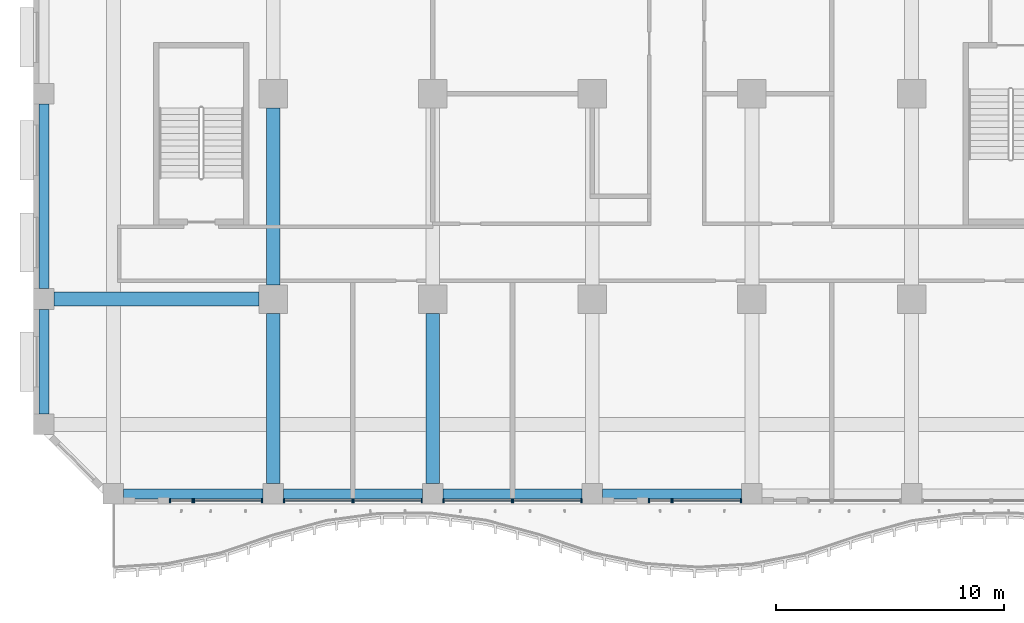
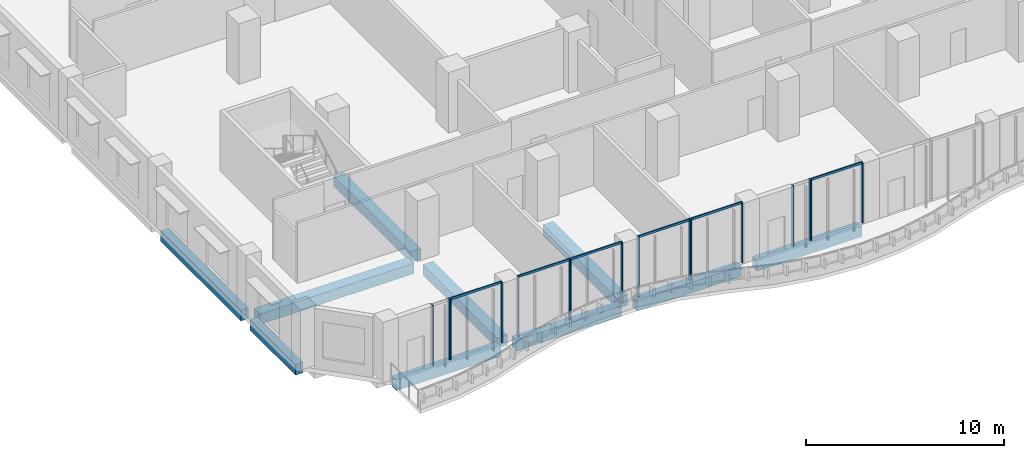
# One storey, part 2 of 26: 22 members, 10 beams, 8 elements without a shape of their own.
"""IFC4 building model written with IfcOpenShell, lengths in metres."""

from ifc_helpers import new_model, si_unit, direction, frame, origin, origin_2d, place, context, subcontext, project, spatial, rectangle, extrude, source, transform, mapped, material, material_profile, profile_set, type_object, element, aggregate, save


model = new_model("IFC4")

# Units and contexts
model_context = context("Model", 3, precision=1e-05, world=origin(), true_north=direction((0.0, 1.0)))
body_context = subcontext(model_context, "Body", "Model", "MODEL_VIEW")
ifc_project = project(units=[si_unit("LENGTHUNIT", "METRE"), si_unit("AREAUNIT", "SQUARE_METRE"), si_unit("VOLUMEUNIT", "CUBIC_METRE"), si_unit("PLANEANGLEUNIT", "RADIAN"), si_unit("MASSUNIT", "GRAM", prefix="KILO")], contexts=[model_context])

# Site, building, storey
site_placement = place(None, origin())
site = spatial("IfcSite", under=ifc_project, at=site_placement, CompositionType="ELEMENT")
building_placement = place(site_placement, origin())
building = spatial("IfcBuilding", under=site, at=building_placement, Name="Kilnfold Tower and Market Hall", CompositionType="ELEMENT")
storey_placement = place(building_placement, frame((0.0, 0.0, 83.199951171875)))
storey = spatial("IfcBuildingStorey", under=building, at=storey_placement, Name="L19", CompositionType="ELEMENT", Elevation=83.199951171875)

# Beams
ifc_material_1 = material(Name="Concrete C45", Category="concrete")
ifc_material_profile_1 = material_profile(ifc_material_1, rectangle(XDim=0.449951171875, YDim=0.64990234375, at=origin_2d()), Name="RC 450x650")
ifc_profile_set_1 = profile_set([ifc_material_profile_1], Name="Concrete C45")
beam_type_1 = type_object("IfcBeamType", Name="EDGE BEAM 450X650 C45", PredefinedType="BEAM", material=ifc_profile_set_1)
shared_shape_1 = source(origin(), body_context, "Body", "SweptSolid", [
    extrude(rectangle(XDim=0.449951171875, YDim=0.64990234375, at=origin_2d()), origin(), (0.0, 0.0, 1.0), 6.10009765625),
])
for number, where, z_axis, x_axis, name in (
    (1, (-19.050048828125, -27.550048828125, -0.60498046875), (1.0, 0.0, 0.0), (0.0, 1.0, 0.0), "Beam EB650-B2.60"),
    (2, (-12.050048828125, -27.550048828125, -0.60498046875), (1.0, 0.0, 0.0), (0.0, 1.0, 0.0), "Beam EB650-B2.61"),
    (3, (-5.050048828125, -27.550048828125, -0.60498046875), (1.0, 0.0, 0.0), (0.0, 1.0, 0.0), "Beam EB650-B2.62"),
    (4, (1.949951171875, -27.550048828125, -0.60498046875), (1.0, 0.0, 0.0), (0.0, 1.0, 0.0), "Beam EB650-B2.63"),
):
    element("IfcBeam", number, at=place(storey_placement, frame(where, z_axis=z_axis, x_axis=x_axis)), inside=storey, type_object=beam_type_1, Name=name, PredefinedType="BEAM", context=body_context, shape_type="MappedRepresentation", body=[
        mapped(shared_shape_1, transform((0.0, 0.0, 0.0))),
    ])
shared_shape_2 = source(origin(), body_context, "Body", "SweptSolid", [
    extrude(rectangle(XDim=0.449951171875, YDim=0.64990234375, at=origin_2d()), origin(), (0.0, 0.0, 1.0), 4.60009765625),
])
beam_1_placement = place(storey_placement, frame((-22.550048828125, -24.050048828125, -0.60498046875), z_axis=(0.0, 1.0, 0.0), x_axis=(-1.0, 0.0, 0.0)))
element("IfcBeam", 5, at=beam_1_placement, inside=storey, type_object=beam_type_1, Name="Beam EB650-B2.37", PredefinedType="BEAM", context=body_context, shape_type="MappedRepresentation", body=[
    mapped(shared_shape_2, transform((0.0, 0.0, 0.0))),
])
shared_shape_3 = source(origin(), body_context, "Body", "SweptSolid", [
    extrude(rectangle(XDim=0.449951171875, YDim=0.64990234375, at=origin_2d()), origin(), (0.0, 0.0, 1.0), 8.10009765625),
])
beam_2_placement = place(storey_placement, frame((-22.550048828125, -18.550048828125, -0.60498046875), z_axis=(0.0, 1.0, 0.0), x_axis=(-1.0, 0.0, 0.0)))
element("IfcBeam", 6, at=beam_2_placement, inside=storey, type_object=beam_type_1, Name="Beam EB650-B2.38", PredefinedType="BEAM", context=body_context, shape_type="MappedRepresentation", body=[
    mapped(shared_shape_3, transform((0.0, 0.0, 0.0))),
])
ifc_material_2 = material(Name="Concrete C45", Category="concrete")
ifc_material_profile_2 = material_profile(ifc_material_2, rectangle(XDim=0.60009765625, YDim=0.64990234375, at=origin_2d()), Name="RC 600x650")
ifc_profile_set_2 = profile_set([ifc_material_profile_2], Name="Concrete C45")
beam_type_2 = type_object("IfcBeamType", Name="BEAM 600X650 C45", PredefinedType="BEAM", material=ifc_profile_set_2)
shared_shape_4 = source(origin(), body_context, "Body", "SweptSolid", [
    extrude(rectangle(XDim=0.60009765625, YDim=0.64990234375, at=origin_2d()), origin(), (0.0, 0.0, 1.0), 8.97509765625),
])
beam_3_placement = place(storey_placement, frame((-22.10009765625, -19.0, -0.60498046875), z_axis=(1.0, 0.0, 0.0), x_axis=(0.0, 1.0, 0.0)))
element("IfcBeam", 7, at=beam_3_placement, inside=storey, type_object=beam_type_2, Name="Beam BB650-B2.68", PredefinedType="BEAM", context=body_context, shape_type="MappedRepresentation", body=[
    mapped(shared_shape_4, transform((0.0, 0.0, 0.0))),
])
shared_shape_5 = source(origin(), body_context, "Body", "SweptSolid", [
    extrude(rectangle(XDim=0.60009765625, YDim=0.64990234375, at=origin_2d()), origin(), (0.0, 0.0, 1.0), 7.47509765625),
])
for number, where, z_axis, x_axis, name in (
    (8, (-12.5, -27.10009765625, -0.60498046875), (0.0, 1.0, 0.0), (-1.0, 0.0, 0.0), "Beam BB650-B2.82"),
    (9, (-5.5, -27.10009765625, -0.60498046875), (0.0, 1.0, 0.0), (-1.0, 0.0, 0.0), "Beam BB650-B2.85"),
):
    element("IfcBeam", number, at=place(storey_placement, frame(where, z_axis=z_axis, x_axis=x_axis)), inside=storey, type_object=beam_type_2, Name=name, PredefinedType="BEAM", context=body_context, shape_type="MappedRepresentation", body=[
        mapped(shared_shape_5, transform((0.0, 0.0, 0.0))),
    ])
shared_shape_6 = source(origin(), body_context, "Body", "SweptSolid", [
    extrude(rectangle(XDim=0.60009765625, YDim=0.64990234375, at=origin_2d()), origin(), (0.0, 0.0, 1.0), 7.75),
])
beam_4_placement = place(storey_placement, frame((-12.5, -18.375, -0.60498046875), z_axis=(0.0, 1.0, 0.0), x_axis=(-1.0, 0.0, 0.0)))
element("IfcBeam", 10, at=beam_4_placement, inside=storey, type_object=beam_type_2, Name="Beam BB650-B2.83", PredefinedType="BEAM", context=body_context, shape_type="MappedRepresentation", body=[
    mapped(shared_shape_6, transform((0.0, 0.0, 0.0))),
])

# Curtain wall, members
ifc_material_3 = material(Name="Aluminium and double glazing", Category="aluminium")
curtain_wall_type = type_object("IfcCurtainWallType", Name="CW OF1 VALLEY GLAZING", PredefinedType="NOTDEFINED", material=ifc_material_3)
curtain_wall_1_placement = place(storey_placement, origin())
curtain_wall_1 = element("IfcCurtainWall", 11, at=curtain_wall_1_placement, inside=storey, type_object=curtain_wall_type, Name="Curtain wall CW1 L19 S", PredefinedType="NOTDEFINED")
ifc_material_4 = material(Name="Aluminium", Category="aluminium")
ifc_material_profile_3 = material_profile(ifc_material_4, rectangle(XDim=0.06005859375, YDim=0.179931640625, at=origin_2d()), Name="MULLION 60x180")
ifc_profile_set_3 = profile_set([ifc_material_profile_3], Name="Aluminium")
member_type_1 = type_object("IfcMemberType", Name="MULLION 60X180", PredefinedType="MULLION", material=ifc_profile_set_3)
shared_shape_7 = source(origin(), body_context, "Body", "SweptSolid", [
    extrude(rectangle(XDim=0.06005859375, YDim=0.179931640625, at=origin_2d()), origin(), (0.0, 0.0, 1.0), 3.719970703125),
])
member_1_placement = place(storey_placement, frame((-17.02001953125, -27.85009765625, 0.0), z_axis=(0.0, 0.0, 1.0), x_axis=(1.0, 0.0, 0.0)))
member_1 = element("IfcMember", 12, at=member_1_placement, type_object=member_type_1, Name="CW1 mullion 1", PredefinedType="MULLION", context=body_context, shape_type="MappedRepresentation", body=[
    mapped(shared_shape_7, transform((0.0, 0.0, 0.0))),
])
member_2_placement = place(storey_placement, frame((-16.030029296875, -27.85009765625, 0.0), z_axis=(0.0, 0.0, 1.0), x_axis=(1.0, 0.0, 0.0)))
member_2 = element("IfcMember", 13, at=member_2_placement, type_object=member_type_1, Name="CW1 mullion 2", PredefinedType="MULLION", context=body_context, shape_type="MappedRepresentation", body=[
    mapped(shared_shape_7, transform((0.0, 0.0, 0.0))),
])
aggregate(curtain_wall_1, [member_1, member_2])

curtain_wall_2_placement = place(storey_placement, origin())
curtain_wall_2 = element("IfcCurtainWall", 14, at=curtain_wall_2_placement, inside=storey, type_object=curtain_wall_type, Name="Curtain wall CW1 L19 S", PredefinedType="NOTDEFINED")
member_3_placement = place(storey_placement, frame((-15.969970703125, -27.85009765625, 0.0), z_axis=(0.0, 0.0, 1.0), x_axis=(1.0, 0.0, 0.0)))
member_3 = element("IfcMember", 15, at=member_3_placement, type_object=member_type_1, Name="CW1 mullion 1", PredefinedType="MULLION", context=body_context, shape_type="MappedRepresentation", body=[
    mapped(shared_shape_7, transform((0.0, 0.0, 0.0))),
])
member_4_placement = place(storey_placement, frame((-12.97998046875, -27.85009765625, 0.0), z_axis=(0.0, 0.0, 1.0), x_axis=(1.0, 0.0, 0.0)))
member_4 = element("IfcMember", 16, at=member_4_placement, type_object=member_type_1, Name="CW1 mullion 2", PredefinedType="MULLION", context=body_context, shape_type="MappedRepresentation", body=[
    mapped(shared_shape_7, transform((0.0, 0.0, 0.0))),
])

curtain_wall_3_placement = place(storey_placement, origin())
curtain_wall_3 = element("IfcCurtainWall", 17, at=curtain_wall_3_placement, inside=storey, type_object=curtain_wall_type, Name="Curtain wall CW1 L19 S", PredefinedType="NOTDEFINED")
member_5_placement = place(storey_placement, frame((-12.02001953125, -27.85009765625, 0.0), z_axis=(0.0, 0.0, 1.0), x_axis=(1.0, 0.0, 0.0)))
member_5 = element("IfcMember", 18, at=member_5_placement, type_object=member_type_1, Name="CW1 mullion 1", PredefinedType="MULLION", context=body_context, shape_type="MappedRepresentation", body=[
    mapped(shared_shape_7, transform((0.0, 0.0, 0.0))),
])
member_6_placement = place(storey_placement, frame((-9.030029296875, -27.85009765625, 0.0), z_axis=(0.0, 0.0, 1.0), x_axis=(1.0, 0.0, 0.0)))
member_6 = element("IfcMember", 19, at=member_6_placement, type_object=member_type_1, Name="CW1 mullion 2", PredefinedType="MULLION", context=body_context, shape_type="MappedRepresentation", body=[
    mapped(shared_shape_7, transform((0.0, 0.0, 0.0))),
])

curtain_wall_4_placement = place(storey_placement, origin())
curtain_wall_4 = element("IfcCurtainWall", 20, at=curtain_wall_4_placement, inside=storey, type_object=curtain_wall_type, Name="Curtain wall CW1 L19 S", PredefinedType="NOTDEFINED")
member_7_placement = place(storey_placement, frame((-8.969970703125, -27.85009765625, 0.0), z_axis=(0.0, 0.0, 1.0), x_axis=(1.0, 0.0, 0.0)))
member_7 = element("IfcMember", 21, at=member_7_placement, type_object=member_type_1, Name="CW1 mullion 1", PredefinedType="MULLION", context=body_context, shape_type="MappedRepresentation", body=[
    mapped(shared_shape_7, transform((0.0, 0.0, 0.0))),
])
member_8_placement = place(storey_placement, frame((-5.97998046875, -27.85009765625, 0.0), z_axis=(0.0, 0.0, 1.0), x_axis=(1.0, 0.0, 0.0)))
member_8 = element("IfcMember", 22, at=member_8_placement, type_object=member_type_1, Name="CW1 mullion 2", PredefinedType="MULLION", context=body_context, shape_type="MappedRepresentation", body=[
    mapped(shared_shape_7, transform((0.0, 0.0, 0.0))),
])

curtain_wall_5_placement = place(storey_placement, origin())
curtain_wall_5 = element("IfcCurtainWall", 23, at=curtain_wall_5_placement, inside=storey, type_object=curtain_wall_type, Name="Curtain wall CW1 L19 S", PredefinedType="NOTDEFINED")
member_9_placement = place(storey_placement, frame((-5.02001953125, -27.85009765625, 0.0), z_axis=(0.0, 0.0, 1.0), x_axis=(1.0, 0.0, 0.0)))
member_9 = element("IfcMember", 24, at=member_9_placement, type_object=member_type_1, Name="CW1 mullion 1", PredefinedType="MULLION", context=body_context, shape_type="MappedRepresentation", body=[
    mapped(shared_shape_7, transform((0.0, 0.0, 0.0))),
])
member_10_placement = place(storey_placement, frame((-2.030029296875, -27.85009765625, 0.0), z_axis=(0.0, 0.0, 1.0), x_axis=(1.0, 0.0, 0.0)))
member_10 = element("IfcMember", 25, at=member_10_placement, type_object=member_type_1, Name="CW1 mullion 2", PredefinedType="MULLION", context=body_context, shape_type="MappedRepresentation", body=[
    mapped(shared_shape_7, transform((0.0, 0.0, 0.0))),
])

curtain_wall_6_placement = place(storey_placement, origin())
curtain_wall_6 = element("IfcCurtainWall", 26, at=curtain_wall_6_placement, inside=storey, type_object=curtain_wall_type, Name="Curtain wall CW1 L19 S", PredefinedType="NOTDEFINED")
member_11_placement = place(storey_placement, frame((-1.969970703125, -27.85009765625, 0.0), z_axis=(0.0, 0.0, 1.0), x_axis=(1.0, 0.0, 0.0)))
member_11 = element("IfcMember", 27, at=member_11_placement, type_object=member_type_1, Name="CW1 mullion 1", PredefinedType="MULLION", context=body_context, shape_type="MappedRepresentation", body=[
    mapped(shared_shape_7, transform((0.0, 0.0, 0.0))),
])
member_12_placement = place(storey_placement, frame((1.02001953125, -27.85009765625, 0.0), z_axis=(0.0, 0.0, 1.0), x_axis=(1.0, 0.0, 0.0)))
member_12 = element("IfcMember", 28, at=member_12_placement, type_object=member_type_1, Name="CW1 mullion 2", PredefinedType="MULLION", context=body_context, shape_type="MappedRepresentation", body=[
    mapped(shared_shape_7, transform((0.0, 0.0, 0.0))),
])

curtain_wall_7_placement = place(storey_placement, origin())
curtain_wall_7 = element("IfcCurtainWall", 29, at=curtain_wall_7_placement, inside=storey, type_object=curtain_wall_type, Name="Curtain wall CW1 L19 S", PredefinedType="NOTDEFINED")
member_13_placement = place(storey_placement, frame((3.97998046875, -27.85009765625, 0.0), z_axis=(0.0, 0.0, 1.0), x_axis=(1.0, 0.0, 0.0)))
member_13 = element("IfcMember", 30, at=member_13_placement, type_object=member_type_1, Name="CW1 mullion 1", PredefinedType="MULLION", context=body_context, shape_type="MappedRepresentation", body=[
    mapped(shared_shape_7, transform((0.0, 0.0, 0.0))),
])
member_14_placement = place(storey_placement, frame((4.969970703125, -27.85009765625, 0.0), z_axis=(0.0, 0.0, 1.0), x_axis=(1.0, 0.0, 0.0)))
member_14 = element("IfcMember", 31, at=member_14_placement, type_object=member_type_1, Name="CW1 mullion 2", PredefinedType="MULLION", context=body_context, shape_type="MappedRepresentation", body=[
    mapped(shared_shape_7, transform((0.0, 0.0, 0.0))),
])
aggregate(curtain_wall_7, [member_13, member_14])

curtain_wall_8_placement = place(storey_placement, origin())
curtain_wall_8 = element("IfcCurtainWall", 32, at=curtain_wall_8_placement, inside=storey, type_object=curtain_wall_type, Name="Curtain wall CW1 L19 S", PredefinedType="NOTDEFINED")
member_15_placement = place(storey_placement, frame((5.030029296875, -27.85009765625, 0.0), z_axis=(0.0, 0.0, 1.0), x_axis=(1.0, 0.0, 0.0)))
member_15 = element("IfcMember", 33, at=member_15_placement, type_object=member_type_1, Name="CW1 mullion 1", PredefinedType="MULLION", context=body_context, shape_type="MappedRepresentation", body=[
    mapped(shared_shape_7, transform((0.0, 0.0, 0.0))),
])
member_16_placement = place(storey_placement, frame((8.02001953125, -27.85009765625, 0.0), z_axis=(0.0, 0.0, 1.0), x_axis=(1.0, 0.0, 0.0)))
member_16 = element("IfcMember", 34, at=member_16_placement, type_object=member_type_1, Name="CW1 mullion 2", PredefinedType="MULLION", context=body_context, shape_type="MappedRepresentation", body=[
    mapped(shared_shape_7, transform((0.0, 0.0, 0.0))),
])

# Member
ifc_material_5 = material(Name="Aluminium", Category="aluminium")
ifc_material_profile_4 = material_profile(ifc_material_5, rectangle(XDim=0.06005859375, YDim=0.139892578125, at=origin_2d()), Name="TRANSOM 60x140")
ifc_profile_set_4 = profile_set([ifc_material_profile_4], Name="Aluminium")
member_type_2 = type_object("IfcMemberType", Name="TRANSOM 60X140", PredefinedType="USERDEFINED", material=ifc_profile_set_4)
shared_shape_8 = source(origin(), body_context, "Body", "SweptSolid", [
    extrude(rectangle(XDim=0.06005859375, YDim=0.139892578125, at=origin_2d()), origin(), (0.0, 0.0, 1.0), 2.929931640625),
])
member_17_placement = place(storey_placement, frame((-15.93994140625, -27.85009765625, 3.68994140625), z_axis=(1.0, 0.0, 0.0), x_axis=(0.0, 1.0, 0.0)))
member_17 = element("IfcMember", 35, at=member_17_placement, type_object=member_type_2, Name="CW1 transom 1.2", ObjectType="TRANSOM", PredefinedType="USERDEFINED", context=body_context, shape_type="MappedRepresentation", body=[
    mapped(shared_shape_8, transform((0.0, 0.0, 0.0))),
])

aggregate(curtain_wall_2, [member_3, member_4, member_17])

member_18_placement = place(storey_placement, frame((-11.989990234375, -27.85009765625, 3.68994140625), z_axis=(1.0, 0.0, 0.0), x_axis=(0.0, 1.0, 0.0)))
member_18 = element("IfcMember", 36, at=member_18_placement, type_object=member_type_2, Name="CW1 transom 1.2", ObjectType="TRANSOM", PredefinedType="USERDEFINED", context=body_context, shape_type="MappedRepresentation", body=[
    mapped(shared_shape_8, transform((0.0, 0.0, 0.0))),
])

aggregate(curtain_wall_3, [member_5, member_6, member_18])

member_19_placement = place(storey_placement, frame((-8.93994140625, -27.85009765625, 3.68994140625), z_axis=(1.0, 0.0, 0.0), x_axis=(0.0, 1.0, 0.0)))
member_19 = element("IfcMember", 37, at=member_19_placement, type_object=member_type_2, Name="CW1 transom 1.2", ObjectType="TRANSOM", PredefinedType="USERDEFINED", context=body_context, shape_type="MappedRepresentation", body=[
    mapped(shared_shape_8, transform((0.0, 0.0, 0.0))),
])

aggregate(curtain_wall_4, [member_7, member_8, member_19])

member_20_placement = place(storey_placement, frame((-4.989990234375, -27.85009765625, 3.68994140625), z_axis=(1.0, 0.0, 0.0), x_axis=(0.0, 1.0, 0.0)))
member_20 = element("IfcMember", 38, at=member_20_placement, type_object=member_type_2, Name="CW1 transom 1.2", ObjectType="TRANSOM", PredefinedType="USERDEFINED", context=body_context, shape_type="MappedRepresentation", body=[
    mapped(shared_shape_8, transform((0.0, 0.0, 0.0))),
])

aggregate(curtain_wall_5, [member_9, member_10, member_20])

member_21_placement = place(storey_placement, frame((-1.93994140625, -27.85009765625, 3.68994140625), z_axis=(1.0, 0.0, 0.0), x_axis=(0.0, 1.0, 0.0)))
member_21 = element("IfcMember", 39, at=member_21_placement, type_object=member_type_2, Name="CW1 transom 1.2", ObjectType="TRANSOM", PredefinedType="USERDEFINED", context=body_context, shape_type="MappedRepresentation", body=[
    mapped(shared_shape_8, transform((0.0, 0.0, 0.0))),
])

aggregate(curtain_wall_6, [member_11, member_12, member_21])

member_22_placement = place(storey_placement, frame((5.06005859375, -27.85009765625, 3.68994140625), z_axis=(1.0, 0.0, 0.0), x_axis=(0.0, 1.0, 0.0)))
member_22 = element("IfcMember", 40, at=member_22_placement, type_object=member_type_2, Name="CW1 transom 1.2", ObjectType="TRANSOM", PredefinedType="USERDEFINED", context=body_context, shape_type="MappedRepresentation", body=[
    mapped(shared_shape_8, transform((0.0, 0.0, 0.0))),
])

aggregate(curtain_wall_8, [member_15, member_16, member_22])

save(model, "model.ifc")
